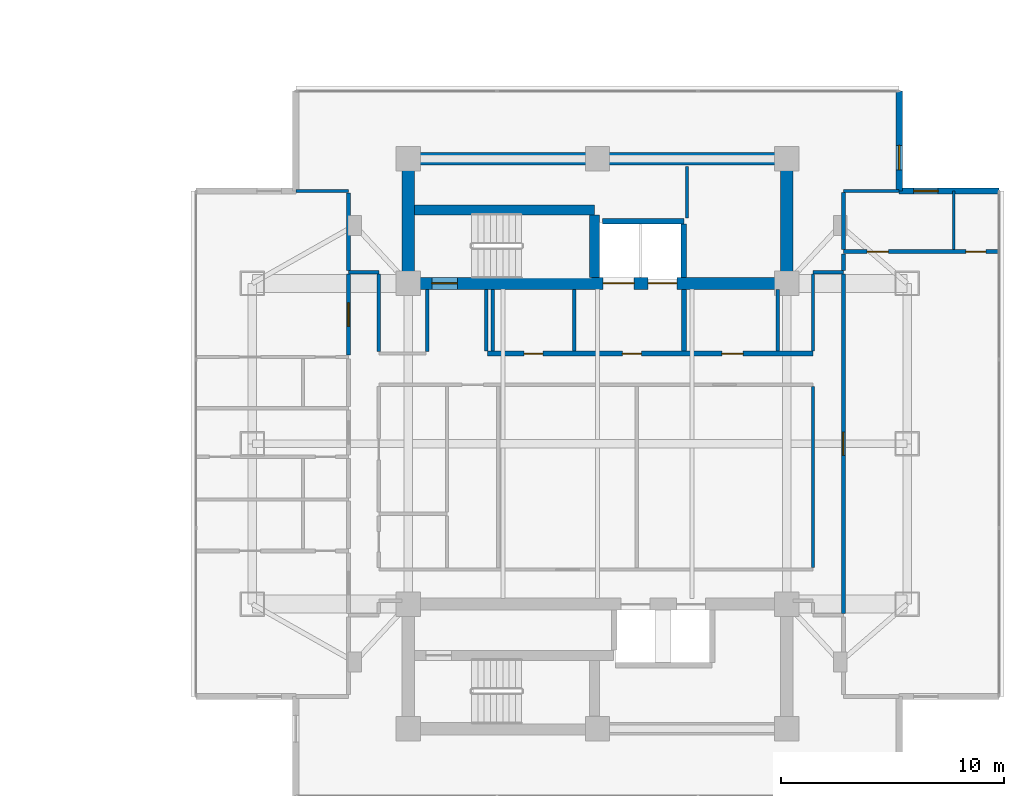
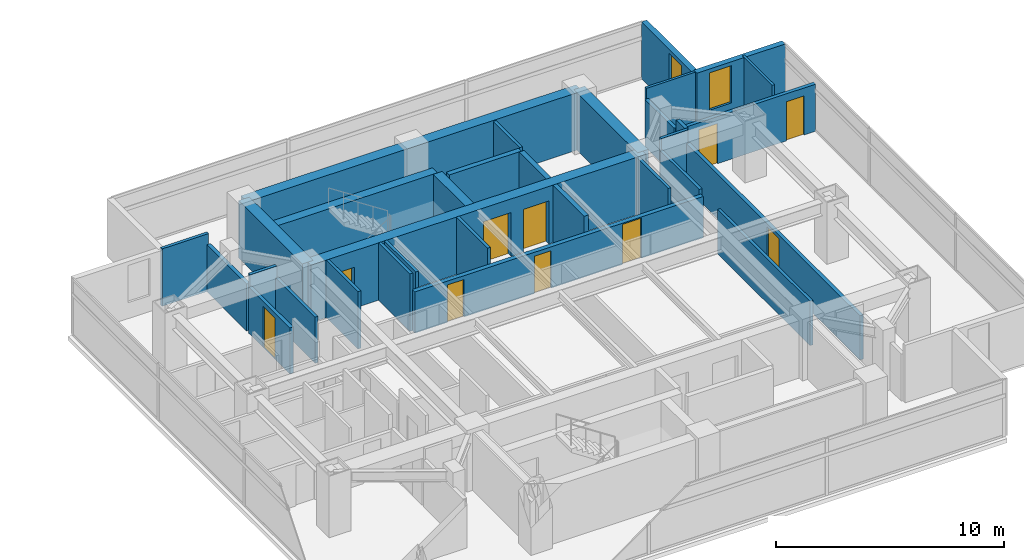
# One storey, part 17 of 24: 32 walls, 10 doors, 2 windows, 12 openings.
"""IFC4 building model written with IfcOpenShell, lengths in metres."""

import ifcopenshell
import ifcopenshell.guid

model = None  # the IFC model being written
_history = None  # IfcOwnerHistory: only IFC2X3 demands one
_inside = {}  # id of a spatial element -> (the spatial element, [elements in it])
_under = {}  # id of a project, library or spatial element -> (it, [spatial elements below it])
_declared = {}  # id of a project -> (the project, [libraries it declares])
_typed = {}  # id of a type object -> (the type object, [elements of that type])
_made_of = {}  # id of a material, layer set ... -> (it, [elements and type objects made of it])


def new_model(schema):
    """Start an empty IFC model of exactly this schema.

    Asked for "IFC4X3", IfcOpenShell would pick the latest addendum, in which some entities
    have other attributes; the version numbers below select the first issue.
    IFC2X3 requires an IfcOwnerHistory on every rooted entity: one is made here for all.
    """
    global model, _history
    if schema == "IFC4X3":
        model = ifcopenshell.file(schema_version=(4, 3, 0, 0))
    else:
        model = ifcopenshell.file(schema=schema)
    _inside.clear()
    _under.clear()
    _declared.clear()
    _typed.clear()
    _made_of.clear()
    _history = None
    if model.schema == "IFC2X3":
        org = make("IfcOrganization", Name="unknown")
        user = make(
            "IfcPersonAndOrganization",
            ThePerson=make("IfcPerson", FamilyName="unknown"),
            TheOrganization=org,
        )
        app = make(
            "IfcApplication",
            ApplicationDeveloper=org,
            Version="unknown",
            ApplicationFullName="unknown",
            ApplicationIdentifier="unknown",
        )
        _history = make(
            "IfcOwnerHistory",
            OwningUser=user,
            OwningApplication=app,
            ChangeAction="ADDED",
            CreationDate=0,
        )
    return model


def make(cls, **values):
    """One entity of the class cls with the attributes given. An attribute that is None is left unset."""
    return model.create_entity(
        cls, **{name: value for name, value in values.items() if value is not None}
    )


def rooted(cls, **values):
    """An entity with a GlobalId (a new one), such as an element, a storey or a relation."""
    return make(cls, GlobalId=ifcopenshell.guid.new(), OwnerHistory=_history, **values)


def si_unit(unit_type, name, prefix=None):
    """IfcSIUnit, for example si_unit("LENGTHUNIT", "METRE", prefix="MILLI")."""
    return make("IfcSIUnit", UnitType=unit_type, Prefix=prefix, Name=name)


def assignment(units):
    """IfcUnitAssignment: the units of a project."""
    return None if units is None else make("IfcUnitAssignment", Units=units)


def point(xyz):
    """IfcCartesianPoint."""
    return None if xyz is None else make("IfcCartesianPoint", Coordinates=xyz)


def direction(xyz):
    """IfcDirection."""
    return None if xyz is None else make("IfcDirection", DirectionRatios=xyz)


def frame(location, z_axis=None, x_axis=None):
    """IfcAxis2Placement3D, a coordinate frame: its origin and axes. An axis left out is left unset."""
    return make(
        "IfcAxis2Placement3D",
        Location=point(location),
        Axis=direction(z_axis),
        RefDirection=direction(x_axis),
    )


def frame_2d(location, x_axis=None):
    """IfcAxis2Placement2D, a coordinate frame in the plane: its origin and x axis."""
    return make(
        "IfcAxis2Placement2D", Location=point(location), RefDirection=direction(x_axis)
    )


def origin():
    """The frame at (0, 0, 0) with its axes left unset."""
    return frame((0.0, 0.0, 0.0))


def place(relative_to, where):
    """IfcLocalPlacement: puts the frame where relative to a parent placement (None: the world)."""
    return make(
        "IfcLocalPlacement", PlacementRelTo=relative_to, RelativePlacement=where
    )


def context(
    kind, dimensions, precision=None, world=None, true_north=None, identifier=None
):
    """IfcGeometricRepresentationContext, for example the 3D "Model" context."""
    return make(
        "IfcGeometricRepresentationContext",
        ContextIdentifier=identifier,
        ContextType=kind,
        CoordinateSpaceDimension=dimensions,
        Precision=precision,
        WorldCoordinateSystem=world,
        TrueNorth=true_north,
    )


def subcontext(parent, identifier, kind, view, scale=None):
    """IfcGeometricRepresentationSubContext, for example "Body" below "Model"."""
    return make(
        "IfcGeometricRepresentationSubContext",
        ContextIdentifier=identifier,
        ContextType=kind,
        ParentContext=parent,
        TargetScale=scale,
        TargetView=view,
    )


def project(units=None, contexts=None):
    """IfcProject with its units and contexts."""
    return rooted(
        "IfcProject",
        Name="project",
        RepresentationContexts=contexts,
        UnitsInContext=assignment(units),
    )


def spatial(cls, under=None, at=None, **own):
    """A site, building, storey or space (cls), placed at a placement, below another one or the project."""
    s = rooted(cls, ObjectPlacement=at, **own)
    if under is not None:
        _under.setdefault(under.id(), (under, []))[1].append(s)
    return s


def profile(cls, at=None, kind="AREA", **sizes):
    """A parametric profile (cls). Its sizes go by their IFC names, for example OverallWidth=200.0."""
    return make(cls, ProfileType=kind, Position=at, **sizes)


def rectangle(**sizes):
    """IfcRectangleProfileDef."""
    return profile("IfcRectangleProfileDef", **sizes)


def extrude(swept, where, along, depth):
    """IfcExtrudedAreaSolid: the profile swept, set in the frame where, extruded along a direction by depth."""
    return make(
        "IfcExtrudedAreaSolid",
        SweptArea=swept,
        Position=where,
        ExtrudedDirection=direction(along),
        Depth=depth,
    )


def shape(context_of_items, identifier, shape_type, items):
    """IfcShapeRepresentation: the items that make up one representation, for example the "Body"."""
    return make(
        "IfcShapeRepresentation",
        ContextOfItems=context_of_items,
        RepresentationIdentifier=identifier,
        RepresentationType=shape_type,
        Items=items,
    )


def material(Name=None, Category=None):
    """IfcMaterial."""
    return make("IfcMaterial", Name=Name, Category=Category)


def layer(
    of_material, thickness, ventilated=None, Name=None, Category=None, Priority=None
):
    """IfcMaterialLayer: one layer of a wall or slab, of a material (None: an air gap)."""
    return make(
        "IfcMaterialLayer",
        Material=of_material,
        LayerThickness=thickness,
        IsVentilated=ventilated,
        Name=Name,
        Category=Category,
        Priority=Priority,
    )


def layer_set(layers, Name=None):
    """IfcMaterialLayerSet."""
    return make("IfcMaterialLayerSet", MaterialLayers=layers, LayerSetName=Name)


def made_of(thing, what):
    """Note that an element or type object is made of a material, layer set ...; save() writes the relation."""
    if what is not None:
        _made_of.setdefault(what.id(), (what, []))[1].append(thing)
    return thing


def type_object(cls, material=None, **own):
    """A type object (cls), such as IfcWallType, which elements share."""
    return made_of(rooted(cls, **own), material)


def element(
    cls,
    number,
    at=None,
    inside=None,
    cuts=None,
    type_object=None,
    material=None,
    context=None,
    identifier="Body",
    shape_type=None,
    held_by="IfcProductDefinitionShape",
    body=None,
    shapes=None,
    **own,
):
    """One element of the class cls, such as IfcWall. Its Tag is "e" and its number.

    at: its placement. inside: the storey or other place that contains it. cuts: it is an
    opening in that element (IfcRelVoidsElement). A single representation is given by context,
    identifier, shape_type and body (its items); several are given by shapes. held_by: the class
    of the entity that holds the representations. save() writes the other relations.
    """
    e = rooted(cls, Tag="e%d" % number, ObjectPlacement=at, **own)
    if body is not None:
        shapes = [shape(context, identifier, shape_type, body)]
    if shapes is not None:
        e.Representation = make(held_by, Representations=shapes)
    if inside is not None:
        _inside.setdefault(inside.id(), (inside, []))[1].append(e)
    if cuts is not None:
        rooted(
            "IfcRelVoidsElement", RelatingBuildingElement=cuts, RelatedOpeningElement=e
        )
    if type_object is not None:
        _typed.setdefault(type_object.id(), (type_object, []))[1].append(e)
    return made_of(e, material)


def fill(opening, filler):
    """IfcRelFillsElement: the door or window that sits in an opening."""
    return rooted(
        "IfcRelFillsElement",
        RelatingOpeningElement=opening,
        RelatedBuildingElement=filler,
    )


def aggregate(whole, parts):
    """IfcRelAggregates: a whole, such as a stair, and the parts it consists of."""
    return rooted("IfcRelAggregates", RelatingObject=whole, RelatedObjects=parts)


def save(model, path):
    """Write the relations noted so far, then the file.

    IfcRelAggregates (storeys below a building ...), IfcRelContainedInSpatialStructure (elements
    in a storey), IfcRelDefinesByType, IfcRelAssociatesMaterial and IfcRelDeclares: one each for
    every whole, place, type object, material and project.
    """
    for whole, parts in _under.values():
        aggregate(whole, parts)
    for where, things in _inside.values():
        rooted(
            "IfcRelContainedInSpatialStructure",
            RelatedElements=things,
            RelatingStructure=where,
        )
    for kind, things in _typed.values():
        rooted("IfcRelDefinesByType", RelatedObjects=things, RelatingType=kind)
    for what, things in _made_of.values():
        rooted("IfcRelAssociatesMaterial", RelatedObjects=things, RelatingMaterial=what)
    for by, libraries in _declared.values():
        rooted("IfcRelDeclares", RelatingContext=by, RelatedDefinitions=libraries)
    model.write(path)


model = new_model("IFC4")

# Units and contexts
model_context = context("Model", 3, precision=1e-05, world=origin(), true_north=direction((0.0, 1.0)))
body_context = subcontext(model_context, "Body", "Model", "MODEL_VIEW")
ifc_project = project(units=[si_unit("LENGTHUNIT", "METRE"), si_unit("AREAUNIT", "SQUARE_METRE"), si_unit("VOLUMEUNIT", "CUBIC_METRE"), si_unit("PLANEANGLEUNIT", "RADIAN"), si_unit("MASSUNIT", "GRAM", prefix="KILO")], contexts=[model_context])

# Site, building, storey
site_placement = place(None, origin())
site = spatial("IfcSite", under=ifc_project, at=site_placement, CompositionType="ELEMENT")
building_placement = place(site_placement, origin())
building = spatial("IfcBuilding", under=site, at=building_placement, Name="Mirazonda Arch Towers", CompositionType="ELEMENT")
storey_placement = place(building_placement, frame((0.0, 0.0, 134.60009765625)))
storey = spatial("IfcBuildingStorey", under=building, at=storey_placement, Name="L38", CompositionType="ELEMENT", Elevation=134.60009765625)

# Walls
ifc_material_1 = material(Name="Concrete C50/60", Category="concrete")
ifc_layer_1 = layer(ifc_material_1, 0.449951171875, Name="WALL-CORE-450")
ifc_layer_set_1 = layer_set([ifc_layer_1], Name="Concrete C50/60")
wall_type_1 = type_object("IfcWallType", Name="WALL-CORE-450", PredefinedType="SHEAR", material=ifc_layer_set_1)
wall_1_placement = place(storey_placement, frame((68.27001953125, 38.5, 0.0), z_axis=(0.0, 0.0, 1.0), x_axis=(1.0, 0.0, 0.0)))
element("IfcWall", 1, at=wall_1_placement, inside=storey, type_object=wall_type_1, Name="L38 Stair Core Shear Wall 054", PredefinedType="SHEAR", context=body_context, shape_type="SweptSolid", body=[
    extrude(rectangle(XDim=8.090087890625, YDim=0.449951171875, at=frame_2d((4.044921875, 0.0))), origin(), (0.0, 0.0, 1.0), 3.079833984375),
])
wall_2_placement = place(storey_placement, frame((76.360107421875, 35.469970703125, 0.0), z_axis=(0.0, 0.0, 1.0), x_axis=(0.0, 1.0, 0.0)))
element("IfcWall", 2, at=wall_2_placement, inside=storey, type_object=wall_type_1, Name="L38 Stair Core Shear Wall 144", PredefinedType="SHEAR", context=body_context, shape_type="SweptSolid", body=[
    extrude(rectangle(XDim=2.794921875, YDim=0.449951171875, at=frame_2d((1.3974609375, 0.0))), origin(), (0.0, 0.0, 1.0), 3.079833984375),
])
ifc_layer_2 = layer(ifc_material_1, 0.550048828125, Name="WALL-CORE-550")
ifc_layer_set_2 = layer_set([ifc_layer_2], Name="Concrete C50/60")
wall_type_2 = type_object("IfcWallType", Name="WALL-CORE-550", PredefinedType="SHEAR", material=ifc_layer_set_2)
wall_3_placement = place(storey_placement, frame((68.0, 40.800048828125, 0.0), z_axis=(0.0, 0.0, 1.0), x_axis=(1.0, 0.0, 0.0)))
element("IfcWall", 3, at=wall_3_placement, inside=storey, type_object=wall_type_2, Name="L38 T2N-N Core Shear Wall", PredefinedType="SHEAR", context=body_context, shape_type="SweptSolid", body=[
    extrude(rectangle(XDim=17.0, YDim=0.550048828125, at=frame_2d((8.5, 0.0))), origin(), (0.0, 0.0, 1.0), 3.079833984375),
])
for number, where, z_axis, x_axis, name in (
    (4, (68.0, 35.199951171875, 0.0), (0.0, 0.0, 1.0), (0.0, 1.0, 0.0), "L38 T2N-W Core Shear Wall"),
    (5, (85.0, 35.199951171875, 0.0), (0.0, 0.0, 1.0), (0.0, 1.0, 0.0), "L38 T2N-E Core Shear Wall"),
):
    element("IfcWall", number, at=place(storey_placement, frame(where, z_axis=z_axis, x_axis=x_axis)), inside=storey, type_object=wall_type_2, Name=name, PredefinedType="SHEAR", context=body_context, shape_type="SweptSolid", body=[
        extrude(rectangle(XDim=5.60009765625, YDim=0.550048828125, at=frame_2d((2.800048828125, 0.0))), origin(), (0.0, 0.0, 1.0), 3.079833984375),
    ])

# Wall, openings, doors
wall_4_placement = place(storey_placement, frame((68.0, 35.199951171875, 0.0), z_axis=(0.0, 0.0, 1.0), x_axis=(1.0, 0.0, 0.0)))
wall_4 = element("IfcWall", 6, at=wall_4_placement, inside=storey, type_object=wall_type_2, Name="L38 T2N-S Core Shear Wall", PredefinedType="SHEAR", context=body_context, shape_type="SweptSolid", body=[
    extrude(rectangle(XDim=17.0, YDim=0.550048828125, at=frame_2d((8.5, 0.0))), origin(), (0.0, 0.0, 1.0), 3.079833984375),
])
opening_1_placement = place(wall_4_placement, frame((1.06005859375, 0.0, 0.0)))
opening_1 = element("IfcOpeningElement", 7, at=opening_1_placement, cuts=wall_4, Name="Opening DR-135", PredefinedType="OPENING", context=body_context, shape_type="SweptSolid", body=[
    extrude(rectangle(XDim=1.14990234375, YDim=2.199951171875, at=frame_2d((0.574951171875, 1.10009765625))), frame((0.0, 0.284912109375, 0.0), z_axis=(0.0, -1.0, 0.0), x_axis=(1.0, 0.0, 0.0)), (0.0, 0.0, 1.0), 0.570068359375),
])
opening_2_placement = place(wall_4_placement, frame((8.75, 0.0, 0.0)))
opening_2 = element("IfcOpeningElement", 8, at=opening_2_placement, cuts=wall_4, Name="Opening LD-112", PredefinedType="OPENING", context=body_context, shape_type="SweptSolid", body=[
    extrude(rectangle(XDim=1.39990234375, YDim=2.35009765625, at=frame_2d((0.699951171875, 1.175048828125))), frame((0.0, 0.284912109375, 0.0), z_axis=(0.0, -1.0, 0.0), x_axis=(1.0, 0.0, 0.0)), (0.0, 0.0, 1.0), 0.570068359375),
])
opening_3_placement = place(wall_4_placement, frame((10.77001953125, 0.0, 0.0)))
opening_3 = element("IfcOpeningElement", 9, at=opening_3_placement, cuts=wall_4, Name="Opening LD-111", PredefinedType="OPENING", context=body_context, shape_type="SweptSolid", body=[
    extrude(rectangle(XDim=1.300048828125, YDim=2.300048828125, at=frame_2d((0.64990234375, 1.14990234375))), frame((0.0, 0.284912109375, 0.0), z_axis=(0.0, -1.0, 0.0), x_axis=(1.0, 0.0, 0.0)), (0.0, 0.0, 1.0), 0.570068359375),
])
ifc_material_2 = material(Name="Architectural Brushed Steel S355", Category="steel")
door_type_1 = type_object("IfcDoorType", Name="DOOR-LIFT-FFL-1400", OperationType="NOTDEFINED", PredefinedType="DOOR", material=ifc_material_2)
door_1_placement = place(opening_2_placement, origin())
door_1 = element("IfcDoor", 10, at=door_1_placement, inside=storey, type_object=door_type_1, Name="L38 Lift Landing Sliding Door FFL-T2", OperationType="DOUBLE_DOOR_SLIDING", OverallHeight=2.35009765625, OverallWidth=1.39990234375, PredefinedType="DOOR", context=body_context, shape_type="SweptSolid", body=[
    extrude(rectangle(XDim=1.39990234375, YDim=2.35009765625, at=frame_2d((0.699951171875, 1.175048828125))), frame((0.0, 0.02490234375, 0.0), z_axis=(0.0, -1.0, 0.0), x_axis=(1.0, 0.0, 0.0)), (0.0, 0.0, 1.0), 0.050048828125),
])
fill(opening_2, door_1)
door_type_2 = type_object("IfcDoorType", Name="DOOR-LIFT-LAND-1300", OperationType="NOTDEFINED", PredefinedType="DOOR", material=ifc_material_2)
door_2_placement = place(opening_3_placement, origin())
door_2 = element("IfcDoor", 11, at=door_2_placement, inside=storey, type_object=door_type_2, Name="L38 Lift Landing Sliding Door SVL-T2", OperationType="DOUBLE_DOOR_SLIDING", OverallHeight=2.300048828125, OverallWidth=1.300048828125, PredefinedType="DOOR", context=body_context, shape_type="SweptSolid", body=[
    extrude(rectangle(XDim=1.300048828125, YDim=2.300048828125, at=frame_2d((0.64990234375, 1.14990234375))), frame((0.0, 0.02490234375, 0.0), z_axis=(0.0, -1.0, 0.0), x_axis=(1.0, 0.0, 0.0)), (0.0, 0.0, 1.0), 0.050048828125),
])
fill(opening_3, door_2)
door_type_3 = type_object("IfcDoorType", Name="DOOR-STAIR-FD90-1150", OperationType="NOTDEFINED", PredefinedType="DOOR", material=ifc_material_2)
door_3_placement = place(opening_1_placement, origin())
door_3 = element("IfcDoor", 12, at=door_3_placement, inside=storey, type_object=door_type_3, Name="L38 East Protected Stair North Door", OperationType="SINGLE_SWING_RIGHT", OverallHeight=2.199951171875, OverallWidth=1.14990234375, PredefinedType="DOOR", context=body_context, shape_type="SweptSolid", body=[
    extrude(rectangle(XDim=1.14990234375, YDim=2.199951171875, at=frame_2d((0.574951171875, 1.10009765625))), frame((0.0, 0.02490234375, 0.0), z_axis=(0.0, -1.0, 0.0), x_axis=(1.0, 0.0, 0.0)), (0.0, 0.0, 1.0), 0.050048828125),
])
fill(opening_1, door_3)

# Wall, opening, window
ifc_material_3 = material(Name="Precast Concrete C40/50", Category="concrete")
ifc_layer_3 = layer(ifc_material_3, 0.280029296875, Name="WALL-EXT-WALL-280")
ifc_layer_set_3 = layer_set([ifc_layer_3], Name="Precast Concrete C40/50")
wall_type_3 = type_object("IfcWallType", Name="WALL-EXT-WALL-280", PredefinedType="SOLIDWALL", material=ifc_layer_set_3)
wall_5_placement = place(storey_placement, frame((90.048583984375, 39.34912109375, 0.0), z_axis=(0.0, 0.0, 1.0), x_axis=(0.0, 1.0, 0.0)))
wall_5 = element("IfcWall", 13, at=wall_5_placement, inside=storey, type_object=wall_type_3, Name="L38 T2 Notched NE Corner Wall WL-L38-T2-CNE", PredefinedType="SOLIDWALL", context=body_context, shape_type="SweptSolid", body=[
    extrude(rectangle(XDim=4.486328125, YDim=0.280029296875, at=frame_2d((2.2431640625, 0.0))), origin(), (0.0, 0.0, 1.0), 3.059814453125),
])
opening_4_placement = place(wall_5_placement, frame((0.949951171875, 0.0, 0.85009765625)))
opening_4 = element("IfcOpeningElement", 14, at=opening_4_placement, cuts=wall_5, Name="Opening WN-108", PredefinedType="OPENING", context=body_context, shape_type="SweptSolid", body=[
    extrude(rectangle(XDim=1.10009765625, YDim=2.0, at=frame_2d((0.550048828125, 1.0))), frame((0.0, 0.14990234375, 0.0), z_axis=(0.0, -1.0, 0.0), x_axis=(1.0, 0.0, 0.0)), (0.0, 0.0, 1.0), 0.300048828125),
])
ifc_material_4 = material(Name="Insulated Low-E Solar Glass", Category="glass")
window_type = type_object("IfcWindowType", Name="WIN-NOTCH-1100x2000", PartitioningType="SINGLE_PANEL", PredefinedType="WINDOW", material=ifc_material_4)
window_1_placement = place(opening_4_placement, origin())
window_1 = element("IfcWindow", 15, at=window_1_placement, inside=storey, type_object=window_type, Name="L38 Punched Facade Window WN-L38-T2-CNE", OverallHeight=2.0, OverallWidth=1.10009765625, PartitioningType="SINGLE_PANEL", PredefinedType="WINDOW", context=body_context, shape_type="SweptSolid", body=[
    extrude(rectangle(XDim=1.10009765625, YDim=2.0, at=frame_2d((0.550048828125, 1.0))), frame((0.0, 0.030029296875, 0.0), z_axis=(0.0, -1.0, 0.0), x_axis=(1.0, 0.0, 0.0)), (0.0, 0.0, 1.0), 0.06005859375),
])
fill(opening_4, window_1)

wall_6_placement = place(storey_placement, frame((94.534912109375, 39.34912109375, 0.0), z_axis=(0.0, 0.0, 1.0), x_axis=(-1.0, 0.0, 0.0)))
wall_6 = element("IfcWall", 16, at=wall_6_placement, inside=storey, type_object=wall_type_3, Name="L38 T2 Corner Notch Return Wall WL-L38-T2-CNE2", PredefinedType="SOLIDWALL", context=body_context, shape_type="SweptSolid", body=[
    extrude(rectangle(XDim=4.486328125, YDim=0.280029296875, at=frame_2d((2.2431640625, 0.0))), origin(), (0.0, 0.0, 1.0), 3.059814453125),
])
opening_5_placement = place(wall_6_placement, frame((2.737060546875, 0.0, 0.85009765625)))
opening_5 = element("IfcOpeningElement", 17, at=opening_5_placement, cuts=wall_6, Name="Opening WN-108", PredefinedType="OPENING", context=body_context, shape_type="SweptSolid", body=[
    extrude(rectangle(XDim=1.10009765625, YDim=2.0, at=frame_2d((0.550048828125, 1.0))), frame((0.0, 0.14990234375, 0.0), z_axis=(0.0, -1.0, 0.0), x_axis=(1.0, 0.0, 0.0)), (0.0, 0.0, 1.0), 0.300048828125),
])
window_2_placement = place(opening_5_placement, origin())
window_2 = element("IfcWindow", 18, at=window_2_placement, inside=storey, type_object=window_type, Name="L38 Punched Facade Window WN-L38-T2-CNE2", OverallHeight=2.0, OverallWidth=1.10009765625, PartitioningType="SINGLE_PANEL", PredefinedType="WINDOW", context=body_context, shape_type="SweptSolid", body=[
    extrude(rectangle(XDim=1.10009765625, YDim=2.0, at=frame_2d((0.550048828125, 1.0))), frame((0.0, 0.030029296875, 0.0), z_axis=(0.0, -1.0, 0.0), x_axis=(1.0, 0.0, 0.0)), (0.0, 0.0, 1.0), 0.06005859375),
])
fill(opening_5, window_2)

# Wall, openings, doors
ifc_material_5 = material(Name="Concrete C40/50", Category="concrete")
ifc_layer_4 = layer(ifc_material_5, 0.219970703125, Name="WALL-FFL-220")
ifc_layer_set_4 = layer_set([ifc_layer_4], Name="Concrete C40/50")
wall_type_4 = type_object("IfcWallType", Name="WALL-FFL-220", PredefinedType="SOLIDWALL", material=ifc_layer_set_4)
wall_7_placement = place(storey_placement, frame((71.550048828125, 32.050048828125, 0.0), z_axis=(0.0, 0.0, 1.0), x_axis=(1.0, 0.0, 0.0)))
wall_7 = element("IfcWall", 19, at=wall_7_placement, inside=storey, type_object=wall_type_4, Name="L38 Interior Partition 043", PredefinedType="SOLIDWALL", context=body_context, shape_type="SweptSolid", body=[
    extrude(rectangle(XDim=14.6298828125, YDim=0.219970703125, at=frame_2d((7.31494140625, 0.0))), origin(), (0.0, 0.0, 1.0), 2.2158203125),
])
opening_6_placement = place(wall_7_placement, frame((6.06494140625, 0.0, 0.0)))
opening_6 = element("IfcOpeningElement", 20, at=opening_6_placement, cuts=wall_7, Name="Opening DR-128", PredefinedType="OPENING", context=body_context, shape_type="SweptSolid", body=[
    extrude(rectangle(XDim=0.85009765625, YDim=2.010009765625, at=frame_2d((0.425048828125, 1.0048828125))), frame((0.0, 0.119873046875, 0.0), z_axis=(0.0, -1.0, 0.0), x_axis=(1.0, 0.0, 0.0)), (0.0, 0.0, 1.0), 0.239990234375),
])
opening_7_placement = place(wall_7_placement, frame((10.534912109375, 0.0, 0.0)))
opening_7 = element("IfcOpeningElement", 21, at=opening_7_placement, cuts=wall_7, Name="Opening DR-104", PredefinedType="OPENING", context=body_context, shape_type="SweptSolid", body=[
    extrude(rectangle(XDim=0.949951171875, YDim=2.14990234375, at=frame_2d((0.47509765625, 1.074951171875))), frame((0.0, 0.119873046875, 0.0), z_axis=(0.0, -1.0, 0.0), x_axis=(1.0, 0.0, 0.0)), (0.0, 0.0, 1.0), 0.239990234375),
])
opening_8_placement = place(wall_7_placement, frame((1.64990234375, 0.0, 0.0)))
opening_8 = element("IfcOpeningElement", 22, at=opening_8_placement, cuts=wall_7, Name="Opening DR-128", PredefinedType="OPENING", context=body_context, shape_type="SweptSolid", body=[
    extrude(rectangle(XDim=0.85009765625, YDim=2.010009765625, at=frame_2d((0.425048828125, 1.0048828125))), frame((0.0, 0.119873046875, 0.0), z_axis=(0.0, -1.0, 0.0), x_axis=(1.0, 0.0, 0.0)), (0.0, 0.0, 1.0), 0.239990234375),
])
door_type_4 = type_object("IfcDoorType", Name="DOOR-RISER-FD60-850", OperationType="NOTDEFINED", PredefinedType="DOOR", material=ifc_material_2)
door_4_placement = place(opening_6_placement, origin())
door_4 = element("IfcDoor", 23, at=door_4_placement, inside=storey, type_object=door_type_4, Name="L38 East Firefighting Lift Lobby Door", OperationType="SINGLE_SWING_LEFT", OverallHeight=2.010009765625, OverallWidth=0.85009765625, PredefinedType="DOOR", context=body_context, shape_type="SweptSolid", body=[
    extrude(rectangle(XDim=0.85009765625, YDim=2.010009765625, at=frame_2d((0.425048828125, 1.0048828125))), frame((0.0, 0.02490234375, 0.0), z_axis=(0.0, -1.0, 0.0), x_axis=(1.0, 0.0, 0.0)), (0.0, 0.0, 1.0), 0.050048828125),
])
fill(opening_6, door_4)
door_5_placement = place(opening_8_placement, origin())
door_5 = element("IfcDoor", 24, at=door_5_placement, inside=storey, type_object=door_type_4, Name="L38 Tower 2 Housekeeping & Linen Room Door", OperationType="SINGLE_SWING_LEFT", OverallHeight=2.010009765625, OverallWidth=0.85009765625, PredefinedType="DOOR", context=body_context, shape_type="SweptSolid", body=[
    extrude(rectangle(XDim=0.85009765625, YDim=2.010009765625, at=frame_2d((0.425048828125, 1.0048828125))), frame((0.0, 0.02490234375, 0.0), z_axis=(0.0, -1.0, 0.0), x_axis=(1.0, 0.0, 0.0)), (0.0, 0.0, 1.0), 0.050048828125),
])
fill(opening_8, door_5)
door_type_5 = type_object("IfcDoorType", Name="DOOR-ROOM-950", OperationType="NOTDEFINED", PredefinedType="DOOR", material=ifc_material_2)
door_6_placement = place(opening_7_placement, origin())
door_6 = element("IfcDoor", 25, at=door_6_placement, inside=storey, type_object=door_type_5, Name="L38 East Sky Reading Library Door", OperationType="SINGLE_SWING_RIGHT", OverallHeight=2.14990234375, OverallWidth=0.949951171875, PredefinedType="DOOR", context=body_context, shape_type="SweptSolid", body=[
    extrude(rectangle(XDim=0.949951171875, YDim=2.14990234375, at=frame_2d((0.47509765625, 1.074951171875))), frame((0.0, 0.02490234375, 0.0), z_axis=(0.0, -1.0, 0.0), x_axis=(1.0, 0.0, 0.0)), (0.0, 0.0, 1.0), 0.050048828125),
])
fill(opening_7, door_6)

# Walls
wall_8_placement = place(storey_placement, frame((80.3798828125, 32.169921875, 0.0), z_axis=(0.0, 0.0, 1.0), x_axis=(0.0, 1.0, 0.0)))
element("IfcWall", 26, at=wall_8_placement, inside=storey, type_object=wall_type_4, Name="L38 Interior Partition 147", PredefinedType="SOLIDWALL", context=body_context, shape_type="SweptSolid", body=[
    extrude(rectangle(XDim=2.760009765625, YDim=0.219970703125, at=frame_2d((1.3798828125, 0.0))), origin(), (0.0, 0.0, 1.0), 3.079833984375),
])
ifc_material_6 = material(Name="Fire-Rated Gypsum Stud Partition")
ifc_layer_5 = layer(ifc_material_6, 0.14990234375, Name="WALL-PART-CORR-150")
ifc_layer_set_5 = layer_set([ifc_layer_5], Name="Fire-Rated Gypsum Stud Partition")
wall_type_5 = type_object("IfcWallType", Name="WALL-PART-CORR-150", PredefinedType="PARTITIONING", material=ifc_layer_set_5)
wall_9_placement = place(storey_placement, frame((65.320068359375, 35.699951171875, 0.0), z_axis=(0.0, 0.0, 1.0), x_axis=(1.0, 0.0, 0.0)))
element("IfcWall", 27, at=wall_9_placement, inside=storey, type_object=wall_type_5, Name="L38 Interior Partition 049", PredefinedType="PARTITIONING", context=body_context, shape_type="SweptSolid", body=[
    extrude(rectangle(XDim=1.35986328125, YDim=0.14990234375, at=frame_2d((0.679931640625, 0.0))), origin(), (0.0, 0.0, 1.0), 3.079833984375),
])
wall_10_placement = place(storey_placement, frame((86.179931640625, 35.699951171875, 0.0), z_axis=(0.0, 0.0, 1.0), x_axis=(1.0, 0.0, 0.0)))
element("IfcWall", 28, at=wall_10_placement, inside=storey, type_object=wall_type_5, Name="L38 Interior Partition 050", PredefinedType="PARTITIONING", context=body_context, shape_type="SweptSolid", body=[
    extrude(rectangle(XDim=1.360107421875, YDim=0.14990234375, at=frame_2d((0.68017578125, 0.0))), origin(), (0.0, 0.0, 1.0), 3.079833984375),
])
wall_11_placement = place(storey_placement, frame((62.971435546875, 39.34912109375, 0.0), z_axis=(0.0, 0.0, 1.0), x_axis=(1.0, 0.0, 0.0)))
element("IfcWall", 29, at=wall_11_placement, inside=storey, type_object=wall_type_5, Name="L38 Interior Partition 055", PredefinedType="PARTITIONING", context=body_context, shape_type="SweptSolid", body=[
    extrude(rectangle(XDim=2.3486328125, YDim=0.14990234375, at=frame_2d((1.17431640625, 0.0))), origin(), (0.0, 0.0, 1.0), 3.079833984375),
])
wall_12_placement = place(storey_placement, frame((66.679931640625, 32.135009765625, 0.0), z_axis=(0.0, 0.0, 1.0), x_axis=(0.0, 1.0, 0.0)))
element("IfcWall", 30, at=wall_12_placement, inside=storey, type_object=wall_type_5, Name="L38 Interior Partition 135", PredefinedType="PARTITIONING", context=body_context, shape_type="SweptSolid", body=[
    extrude(rectangle(XDim=3.47998046875, YDim=0.14990234375, at=frame_2d((1.739990234375, 0.0))), origin(), (0.0, 0.0, 1.0), 2.471923828125),
])
wall_13_placement = place(storey_placement, frame((68.85009765625, 32.135009765625, 0.0), z_axis=(0.0, 0.0, 1.0), x_axis=(0.0, 1.0, 0.0)))
element("IfcWall", 31, at=wall_13_placement, inside=storey, type_object=wall_type_5, Name="L38 Interior Partition 136", PredefinedType="PARTITIONING", context=body_context, shape_type="SweptSolid", body=[
    extrude(rectangle(XDim=2.794921875, YDim=0.14990234375, at=frame_2d((1.3974609375, 0.0))), origin(), (0.0, 0.0, 1.0), 3.079833984375),
])
for number, where, z_axis, x_axis, name in (
    (32, (71.5, 32.169921875, 0.0), (0.0, 0.0, 1.0), (0.0, 1.0, 0.0), "L38 Interior Partition 139"),
    (33, (71.800048828125, 32.169921875, 0.0), (0.0, 0.0, 1.0), (0.0, 1.0, 0.0), "L38 Interior Partition 140"),
    (34, (75.449951171875, 32.169921875, 0.0), (0.0, 0.0, 1.0), (0.0, 1.0, 0.0), "L38 Interior Partition 142"),
):
    element("IfcWall", number, at=place(storey_placement, frame(where, z_axis=z_axis, x_axis=x_axis)), inside=storey, type_object=wall_type_5, Name=name, PredefinedType="PARTITIONING", context=body_context, shape_type="SweptSolid", body=[
        extrude(rectangle(XDim=2.760009765625, YDim=0.14990234375, at=frame_2d((1.3798828125, 0.0))), origin(), (0.0, 0.0, 1.0), 3.079833984375),
    ])
wall_14_placement = place(storey_placement, frame((80.52001953125, 38.135009765625, 0.0), z_axis=(0.0, 0.0, 1.0), x_axis=(0.0, 1.0, 0.0)))
element("IfcWall", 35, at=wall_14_placement, inside=storey, type_object=wall_type_5, Name="L38 Interior Partition 149", PredefinedType="PARTITIONING", context=body_context, shape_type="SweptSolid", body=[
    extrude(rectangle(XDim=2.31494140625, YDim=0.14990234375, at=frame_2d((1.157470703125, 0.0))), origin(), (0.0, 0.0, 1.0), 3.079833984375),
])
wall_15_placement = place(storey_placement, frame((84.60009765625, 32.169921875, 0.0), z_axis=(0.0, 0.0, 1.0), x_axis=(0.0, 1.0, 0.0)))
element("IfcWall", 36, at=wall_15_placement, inside=storey, type_object=wall_type_5, Name="L38 Interior Partition 151", PredefinedType="PARTITIONING", context=body_context, shape_type="SweptSolid", body=[
    extrude(rectangle(XDim=2.760009765625, YDim=0.14990234375, at=frame_2d((1.3798828125, 0.0))), origin(), (0.0, 0.0, 1.0), 3.079833984375),
])
wall_16_placement = place(storey_placement, frame((86.179931640625, 22.43505859375, 0.0), z_axis=(0.0, 0.0, 1.0), x_axis=(0.0, 1.0, 0.0)))
element("IfcWall", 37, at=wall_16_placement, inside=storey, type_object=wall_type_5, Name="L38 Interior Partition 153", PredefinedType="PARTITIONING", context=body_context, shape_type="SweptSolid", body=[
    extrude(rectangle(XDim=8.1298828125, YDim=0.14990234375, at=frame_2d((4.06494140625, 0.0))), origin(), (0.0, 0.0, 1.0), 2.3759765625),
])
wall_17_placement = place(storey_placement, frame((86.179931640625, 32.169921875, 0.0), z_axis=(0.0, 0.0, 1.0), x_axis=(0.0, 1.0, 0.0)))
element("IfcWall", 38, at=wall_17_placement, inside=storey, type_object=wall_type_5, Name="L38 Interior Partition 154", PredefinedType="PARTITIONING", context=body_context, shape_type="SweptSolid", body=[
    extrude(rectangle(XDim=3.445068359375, YDim=0.14990234375, at=frame_2d((1.72265625, 0.0))), origin(), (0.0, 0.0, 1.0), 2.471923828125),
])

# Wall, openings, doors
ifc_material_7 = material(Name="Fire-Rated Gypsum Twin-Stud Assembly")
ifc_layer_6 = layer(ifc_material_7, 0.179931640625, Name="WALL-PART-DEMISE-180")
ifc_layer_set_6 = layer_set([ifc_layer_6], Name="Fire-Rated Gypsum Twin-Stud Assembly")
wall_type_6 = type_object("IfcWallType", Name="WALL-PART-DEMISE-180", PredefinedType="PARTITIONING", material=ifc_layer_set_6)
wall_18_placement = place(storey_placement, frame((87.5400390625, 36.62890625, 0.0), z_axis=(0.0, 0.0, 1.0), x_axis=(1.0, 0.0, 0.0)))
wall_18 = element("IfcWall", 39, at=wall_18_placement, inside=storey, type_object=wall_type_6, Name="L38 Interior Partition 051", PredefinedType="PARTITIONING", context=body_context, shape_type="SweptSolid", body=[
    extrude(rectangle(XDim=6.994873046875, YDim=0.179931640625, at=frame_2d((3.49755859375, 0.0))), origin(), (0.0, 0.0, 1.0), 2.52294921875),
])
opening_9_placement = place(wall_18_placement, frame((1.072509765625, 0.0, 0.0)))
opening_9 = element("IfcOpeningElement", 40, at=opening_9_placement, cuts=wall_18, Name="Opening DR-104", PredefinedType="OPENING", context=body_context, shape_type="SweptSolid", body=[
    extrude(rectangle(XDim=0.949951171875, YDim=2.14990234375, at=frame_2d((0.47509765625, 1.074951171875))), frame((0.0, 0.099853515625, 0.0), z_axis=(0.0, -1.0, 0.0), x_axis=(1.0, 0.0, 0.0)), (0.0, 0.0, 1.0), 0.199951171875),
])
opening_10_placement = place(wall_18_placement, frame((5.5048828125, 0.0, 0.0)))
opening_10 = element("IfcOpeningElement", 41, at=opening_10_placement, cuts=wall_18, Name="Opening DR-120", PredefinedType="OPENING", context=body_context, shape_type="SweptSolid", body=[
    extrude(rectangle(XDim=0.89990234375, YDim=2.10009765625, at=frame_2d((0.449951171875, 1.050048828125))), frame((0.0, 0.099853515625, 0.0), z_axis=(0.0, -1.0, 0.0), x_axis=(1.0, 0.0, 0.0)), (0.0, 0.0, 1.0), 0.199951171875),
])
door_7_placement = place(opening_9_placement, origin())
door_7 = element("IfcDoor", 42, at=door_7_placement, inside=storey, type_object=door_type_5, Name="L38 Suite Bedroom 1 Door", OperationType="SINGLE_SWING_RIGHT", OverallHeight=2.14990234375, OverallWidth=0.949951171875, PredefinedType="DOOR", context=body_context, shape_type="SweptSolid", body=[
    extrude(rectangle(XDim=0.949951171875, YDim=2.14990234375, at=frame_2d((0.47509765625, 1.074951171875))), frame((0.0, 0.02490234375, 0.0), z_axis=(0.0, -1.0, 0.0), x_axis=(1.0, 0.0, 0.0)), (0.0, 0.0, 1.0), 0.050048828125),
])
fill(opening_9, door_7)
door_type_6 = type_object("IfcDoorType", Name="DOOR-WC-900", OperationType="NOTDEFINED", PredefinedType="DOOR", material=ifc_material_2)
door_8_placement = place(opening_10_placement, origin())
door_8 = element("IfcDoor", 43, at=door_8_placement, inside=storey, type_object=door_type_6, Name="L38 Suite En-Suite Bathroom 1 Door", OperationType="SINGLE_SWING_LEFT", OverallHeight=2.10009765625, OverallWidth=0.89990234375, PredefinedType="DOOR", context=body_context, shape_type="SweptSolid", body=[
    extrude(rectangle(XDim=0.89990234375, YDim=2.10009765625, at=frame_2d((0.449951171875, 1.050048828125))), frame((0.0, 0.02490234375, 0.0), z_axis=(0.0, -1.0, 0.0), x_axis=(1.0, 0.0, 0.0)), (0.0, 0.0, 1.0), 0.050048828125),
])
fill(opening_10, door_8)

# Wall, opening, door
wall_19_placement = place(storey_placement, frame((65.320068359375, 31.98095703125, 0.0), z_axis=(0.0, 0.0, 1.0), x_axis=(0.0, 1.0, 0.0)))
wall_19 = element("IfcWall", 44, at=wall_19_placement, inside=storey, type_object=wall_type_6, Name="L38 Interior Partition 130", PredefinedType="PARTITIONING", context=body_context, shape_type="SweptSolid", body=[
    extrude(rectangle(XDim=3.634033203125, YDim=0.179931640625, at=frame_2d((1.81689453125, 0.0))), origin(), (0.0, 0.0, 1.0), 2.471923828125),
])
opening_11_placement = place(wall_19_placement, frame((1.2919921875, 0.0, 0.0)))
opening_11 = element("IfcOpeningElement", 45, at=opening_11_placement, cuts=wall_19, Name="Opening DR-121", PredefinedType="OPENING", context=body_context, shape_type="SweptSolid", body=[
    extrude(rectangle(XDim=1.050048828125, YDim=2.199951171875, at=frame_2d((0.52490234375, 1.10009765625))), frame((0.0, 0.099853515625, 0.0), z_axis=(0.0, -1.0, 0.0), x_axis=(1.0, 0.0, 0.0)), (0.0, 0.0, 1.0), 0.199951171875),
])
door_type_7 = type_object("IfcDoorType", Name="DOOR-SUITE-FD60-1050", OperationType="NOTDEFINED", PredefinedType="DOOR", material=ifc_material_2)
door_9_placement = place(opening_11_placement, origin())
door_9 = element("IfcDoor", 46, at=door_9_placement, inside=storey, type_object=door_type_7, Name="L38 King Hotel Guestroom 3 Door", OperationType="SINGLE_SWING_RIGHT", OverallHeight=2.199951171875, OverallWidth=1.050048828125, PredefinedType="DOOR", context=body_context, shape_type="SweptSolid", body=[
    extrude(rectangle(XDim=1.050048828125, YDim=2.199951171875, at=frame_2d((0.52490234375, 1.10009765625))), frame((0.0, 0.02490234375, 0.0), z_axis=(0.0, -1.0, 0.0), x_axis=(1.0, 0.0, 0.0)), (0.0, 0.0, 1.0), 0.050048828125),
])
fill(opening_11, door_9)

# Wall
wall_20_placement = place(storey_placement, frame((65.320068359375, 35.784912109375, 0.0), z_axis=(0.0, 0.0, 1.0), x_axis=(0.0, 1.0, 0.0)))
element("IfcWall", 47, at=wall_20_placement, inside=storey, type_object=wall_type_6, Name="L38 Interior Partition 131", PredefinedType="PARTITIONING", context=body_context, shape_type="SweptSolid", body=[
    extrude(rectangle(XDim=3.47900390625, YDim=0.179931640625, at=frame_2d((1.739501953125, 0.0))), origin(), (0.0, 0.0, 1.0), 2.52294921875),
])

# Wall, opening, door
wall_21_placement = place(storey_placement, frame((87.5400390625, 20.385009765625, 0.0), z_axis=(0.0, 0.0, 1.0), x_axis=(0.0, 1.0, 0.0)))
wall_21 = element("IfcWall", 48, at=wall_21_placement, inside=storey, type_object=wall_type_6, Name="L38 Interior Partition 156", PredefinedType="PARTITIONING", context=body_context, shape_type="SweptSolid", body=[
    extrude(rectangle(XDim=15.22998046875, YDim=0.179931640625, at=frame_2d((7.614990234375, 0.0))), origin(), (0.0, 0.0, 1.0), 2.3759765625),
])
opening_12_placement = place(wall_21_placement, frame((7.090087890625, 0.0, 0.0)))
opening_12 = element("IfcOpeningElement", 49, at=opening_12_placement, cuts=wall_21, Name="Opening DR-121", PredefinedType="OPENING", context=body_context, shape_type="SweptSolid", body=[
    extrude(rectangle(XDim=1.050048828125, YDim=2.199951171875, at=frame_2d((0.52490234375, 1.10009765625))), frame((0.0, 0.099853515625, 0.0), z_axis=(0.0, -1.0, 0.0), x_axis=(1.0, 0.0, 0.0)), (0.0, 0.0, 1.0), 0.199951171875),
])
door_10_placement = place(opening_12_placement, origin())
door_10 = element("IfcDoor", 50, at=door_10_placement, inside=storey, type_object=door_type_7, Name="L38 Presidential Hotel Suite 1 Door", OperationType="SINGLE_SWING_LEFT", OverallHeight=2.199951171875, OverallWidth=1.050048828125, PredefinedType="DOOR", context=body_context, shape_type="SweptSolid", body=[
    extrude(rectangle(XDim=1.050048828125, YDim=2.199951171875, at=frame_2d((0.52490234375, 1.10009765625))), frame((0.0, 0.02490234375, 0.0), z_axis=(0.0, -1.0, 0.0), x_axis=(1.0, 0.0, 0.0)), (0.0, 0.0, 1.0), 0.050048828125),
])
fill(opening_12, door_10)

# Walls
wall_22_placement = place(storey_placement, frame((87.5400390625, 35.784912109375, 0.0), z_axis=(0.0, 0.0, 1.0), x_axis=(0.0, 1.0, 0.0)))
element("IfcWall", 51, at=wall_22_placement, inside=storey, type_object=wall_type_6, Name="L38 Interior Partition 157", PredefinedType="PARTITIONING", context=body_context, shape_type="SweptSolid", body=[
    extrude(rectangle(XDim=0.744140625, YDim=0.179931640625, at=frame_2d((0.3720703125, 0.0))), origin(), (0.0, 0.0, 1.0), 3.079833984375),
])
wall_23_placement = place(storey_placement, frame((87.5400390625, 36.72900390625, 0.0), z_axis=(0.0, 0.0, 1.0), x_axis=(0.0, 1.0, 0.0)))
element("IfcWall", 52, at=wall_23_placement, inside=storey, type_object=wall_type_6, Name="L38 Interior Partition 158", PredefinedType="PARTITIONING", context=body_context, shape_type="SweptSolid", body=[
    extrude(rectangle(XDim=2.547607421875, YDim=0.179931640625, at=frame_2d((1.27392578125, 0.0))), origin(), (0.0, 0.0, 1.0), 2.52294921875),
])
ifc_material_8 = material(Name="Acoustic Fire-Rated Gypsum Partition")
ifc_layer_7 = layer(ifc_material_8, 0.125, Name="WALL-PART-UNIT-125")
ifc_layer_set_7 = layer_set([ifc_layer_7], Name="Acoustic Fire-Rated Gypsum Partition")
wall_type_7 = type_object("IfcWallType", Name="WALL-PART-UNIT-125", PredefinedType="PARTITIONING", material=ifc_layer_set_7)
wall_24_placement = place(storey_placement, frame((87.5400390625, 39.34912109375, 0.0), z_axis=(0.0, 0.0, 1.0), x_axis=(1.0, 0.0, 0.0)))
element("IfcWall", 53, at=wall_24_placement, inside=storey, type_object=wall_type_7, Name="L38 Interior Partition 056", PredefinedType="PARTITIONING", context=body_context, shape_type="SweptSolid", body=[
    extrude(rectangle(XDim=2.488525390625, YDim=0.125, at=frame_2d((1.244140625, 0.0))), origin(), (0.0, 0.0, 1.0), 3.079833984375),
])
wall_25_placement = place(storey_placement, frame((92.4951171875, 36.72900390625, 0.0), z_axis=(0.0, 0.0, 1.0), x_axis=(0.0, 1.0, 0.0)))
element("IfcWall", 54, at=wall_25_placement, inside=storey, type_object=wall_type_7, Name="L38 Interior Partition 159", PredefinedType="PARTITIONING", context=body_context, shape_type="SweptSolid", body=[
    extrude(rectangle(XDim=2.6201171875, YDim=0.125, at=frame_2d((1.31005859375, 0.0))), origin(), (0.0, 0.0, 1.0), 3.079833984375),
])
ifc_layer_8 = layer(ifc_material_5, 0.25, Name="WALL-SHAFT-250")
ifc_layer_set_8 = layer_set([ifc_layer_8], Name="Concrete C40/50")
wall_type_8 = type_object("IfcWallType", Name="WALL-SHAFT-250", PredefinedType="SOLIDWALL", material=ifc_layer_set_8)
wall_26_placement = place(storey_placement, frame((76.719970703125, 38.0, 0.0), z_axis=(0.0, 0.0, 1.0), x_axis=(1.0, 0.0, 0.0)))
element("IfcWall", 55, at=wall_26_placement, inside=storey, type_object=wall_type_8, Name="L38 Interior Partition 053", PredefinedType="SOLIDWALL", context=body_context, shape_type="SweptSolid", body=[
    extrude(rectangle(XDim=3.659912109375, YDim=0.25, at=frame_2d((1.830078125, 0.0))), origin(), (0.0, 0.0, 1.0), 3.079833984375),
])
wall_27_placement = place(storey_placement, frame((80.3798828125, 35.469970703125, 0.0), z_axis=(0.0, 0.0, 1.0), x_axis=(0.0, 1.0, 0.0)))
element("IfcWall", 56, at=wall_27_placement, inside=storey, type_object=wall_type_8, Name="L38 Interior Partition 148", PredefinedType="SOLIDWALL", context=body_context, shape_type="SweptSolid", body=[
    extrude(rectangle(XDim=2.39501953125, YDim=0.25, at=frame_2d((1.197509765625, 0.0))), origin(), (0.0, 0.0, 1.0), 3.079833984375),
])

save(model, "model.ifc")
